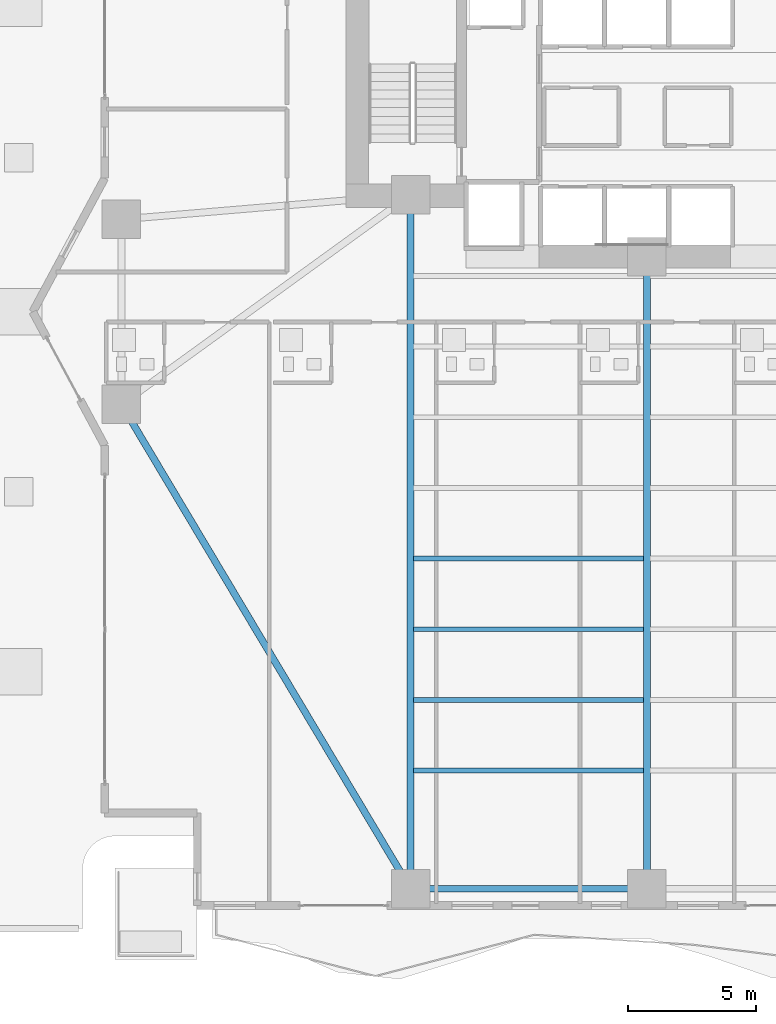
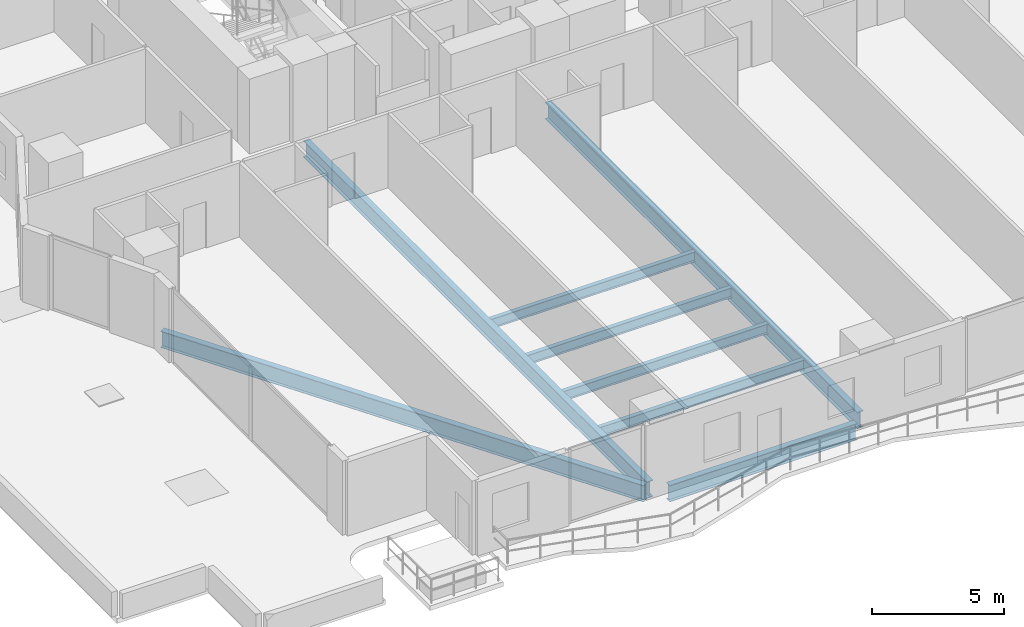
# One storey, part 3 of 30: 8 beams.
"""IFC4 building model written with IfcOpenShell, lengths in metres."""

import ifcopenshell
import ifcopenshell.guid

model = None  # the IFC model being written
_history = None  # IfcOwnerHistory: only IFC2X3 demands one
_inside = {}  # id of a spatial element -> (the spatial element, [elements in it])
_under = {}  # id of a project, library or spatial element -> (it, [spatial elements below it])
_declared = {}  # id of a project -> (the project, [libraries it declares])
_typed = {}  # id of a type object -> (the type object, [elements of that type])
_made_of = {}  # id of a material, layer set ... -> (it, [elements and type objects made of it])


def new_model(schema):
    """Start an empty IFC model of exactly this schema.

    Asked for "IFC4X3", IfcOpenShell would pick the latest addendum, in which some entities
    have other attributes; the version numbers below select the first issue.
    IFC2X3 requires an IfcOwnerHistory on every rooted entity: one is made here for all.
    """
    global model, _history
    if schema == "IFC4X3":
        model = ifcopenshell.file(schema_version=(4, 3, 0, 0))
    else:
        model = ifcopenshell.file(schema=schema)
    _inside.clear()
    _under.clear()
    _declared.clear()
    _typed.clear()
    _made_of.clear()
    _history = None
    if model.schema == "IFC2X3":
        org = make("IfcOrganization", Name="unknown")
        user = make(
            "IfcPersonAndOrganization",
            ThePerson=make("IfcPerson", FamilyName="unknown"),
            TheOrganization=org,
        )
        app = make(
            "IfcApplication",
            ApplicationDeveloper=org,
            Version="unknown",
            ApplicationFullName="unknown",
            ApplicationIdentifier="unknown",
        )
        _history = make(
            "IfcOwnerHistory",
            OwningUser=user,
            OwningApplication=app,
            ChangeAction="ADDED",
            CreationDate=0,
        )
    return model


def make(cls, **values):
    """One entity of the class cls with the attributes given. An attribute that is None is left unset."""
    return model.create_entity(
        cls, **{name: value for name, value in values.items() if value is not None}
    )


def rooted(cls, **values):
    """An entity with a GlobalId (a new one), such as an element, a storey or a relation."""
    return make(cls, GlobalId=ifcopenshell.guid.new(), OwnerHistory=_history, **values)


def si_unit(unit_type, name, prefix=None):
    """IfcSIUnit, for example si_unit("LENGTHUNIT", "METRE", prefix="MILLI")."""
    return make("IfcSIUnit", UnitType=unit_type, Prefix=prefix, Name=name)


def assignment(units):
    """IfcUnitAssignment: the units of a project."""
    return None if units is None else make("IfcUnitAssignment", Units=units)


def point(xyz):
    """IfcCartesianPoint."""
    return None if xyz is None else make("IfcCartesianPoint", Coordinates=xyz)


def direction(xyz):
    """IfcDirection."""
    return None if xyz is None else make("IfcDirection", DirectionRatios=xyz)


def frame(location, z_axis=None, x_axis=None):
    """IfcAxis2Placement3D, a coordinate frame: its origin and axes. An axis left out is left unset."""
    return make(
        "IfcAxis2Placement3D",
        Location=point(location),
        Axis=direction(z_axis),
        RefDirection=direction(x_axis),
    )


def frame_2d(location, x_axis=None):
    """IfcAxis2Placement2D, a coordinate frame in the plane: its origin and x axis."""
    return make(
        "IfcAxis2Placement2D", Location=point(location), RefDirection=direction(x_axis)
    )


def origin():
    """The frame at (0, 0, 0) with its axes left unset."""
    return frame((0.0, 0.0, 0.0))


def origin_2d():
    """The frame at (0, 0) in the plane with its x axis left unset."""
    return frame_2d((0.0, 0.0))


def place(relative_to, where):
    """IfcLocalPlacement: puts the frame where relative to a parent placement (None: the world)."""
    return make(
        "IfcLocalPlacement", PlacementRelTo=relative_to, RelativePlacement=where
    )


def context(
    kind, dimensions, precision=None, world=None, true_north=None, identifier=None
):
    """IfcGeometricRepresentationContext, for example the 3D "Model" context."""
    return make(
        "IfcGeometricRepresentationContext",
        ContextIdentifier=identifier,
        ContextType=kind,
        CoordinateSpaceDimension=dimensions,
        Precision=precision,
        WorldCoordinateSystem=world,
        TrueNorth=true_north,
    )


def subcontext(parent, identifier, kind, view, scale=None):
    """IfcGeometricRepresentationSubContext, for example "Body" below "Model"."""
    return make(
        "IfcGeometricRepresentationSubContext",
        ContextIdentifier=identifier,
        ContextType=kind,
        ParentContext=parent,
        TargetScale=scale,
        TargetView=view,
    )


def project(units=None, contexts=None):
    """IfcProject with its units and contexts."""
    return rooted(
        "IfcProject",
        Name="project",
        RepresentationContexts=contexts,
        UnitsInContext=assignment(units),
    )


def spatial(cls, under=None, at=None, **own):
    """A site, building, storey or space (cls), placed at a placement, below another one or the project."""
    s = rooted(cls, ObjectPlacement=at, **own)
    if under is not None:
        _under.setdefault(under.id(), (under, []))[1].append(s)
    return s


def profile(cls, at=None, kind="AREA", **sizes):
    """A parametric profile (cls). Its sizes go by their IFC names, for example OverallWidth=200.0."""
    return make(cls, ProfileType=kind, Position=at, **sizes)


def i_section(**sizes):
    """IfcIShapeProfileDef."""
    return profile("IfcIShapeProfileDef", **sizes)


def extrude(swept, where, along, depth):
    """IfcExtrudedAreaSolid: the profile swept, set in the frame where, extruded along a direction by depth."""
    return make(
        "IfcExtrudedAreaSolid",
        SweptArea=swept,
        Position=where,
        ExtrudedDirection=direction(along),
        Depth=depth,
    )


def shape(context_of_items, identifier, shape_type, items):
    """IfcShapeRepresentation: the items that make up one representation, for example the "Body"."""
    return make(
        "IfcShapeRepresentation",
        ContextOfItems=context_of_items,
        RepresentationIdentifier=identifier,
        RepresentationType=shape_type,
        Items=items,
    )


def material(Name=None, Category=None):
    """IfcMaterial."""
    return make("IfcMaterial", Name=Name, Category=Category)


def material_profile(
    of_material, cross_section, Name=None, Category=None, Priority=None
):
    """IfcMaterialProfile: a cross section and its material."""
    return make(
        "IfcMaterialProfile",
        Name=Name,
        Material=of_material,
        Profile=cross_section,
        Priority=Priority,
        Category=Category,
    )


def profile_set(profiles, Name=None, composite=None):
    """IfcMaterialProfileSet."""
    return make(
        "IfcMaterialProfileSet",
        Name=Name,
        MaterialProfiles=profiles,
        CompositeProfile=composite,
    )


def made_of(thing, what):
    """Note that an element or type object is made of a material, layer set ...; save() writes the relation."""
    if what is not None:
        _made_of.setdefault(what.id(), (what, []))[1].append(thing)
    return thing


def type_object(cls, material=None, **own):
    """A type object (cls), such as IfcWallType, which elements share."""
    return made_of(rooted(cls, **own), material)


def element(
    cls,
    number,
    at=None,
    inside=None,
    cuts=None,
    type_object=None,
    material=None,
    context=None,
    identifier="Body",
    shape_type=None,
    held_by="IfcProductDefinitionShape",
    body=None,
    shapes=None,
    **own,
):
    """One element of the class cls, such as IfcWall. Its Tag is "e" and its number.

    at: its placement. inside: the storey or other place that contains it. cuts: it is an
    opening in that element (IfcRelVoidsElement). A single representation is given by context,
    identifier, shape_type and body (its items); several are given by shapes. held_by: the class
    of the entity that holds the representations. save() writes the other relations.
    """
    e = rooted(cls, Tag="e%d" % number, ObjectPlacement=at, **own)
    if body is not None:
        shapes = [shape(context, identifier, shape_type, body)]
    if shapes is not None:
        e.Representation = make(held_by, Representations=shapes)
    if inside is not None:
        _inside.setdefault(inside.id(), (inside, []))[1].append(e)
    if cuts is not None:
        rooted(
            "IfcRelVoidsElement", RelatingBuildingElement=cuts, RelatedOpeningElement=e
        )
    if type_object is not None:
        _typed.setdefault(type_object.id(), (type_object, []))[1].append(e)
    return made_of(e, material)


def aggregate(whole, parts):
    """IfcRelAggregates: a whole, such as a stair, and the parts it consists of."""
    return rooted("IfcRelAggregates", RelatingObject=whole, RelatedObjects=parts)


def save(model, path):
    """Write the relations noted so far, then the file.

    IfcRelAggregates (storeys below a building ...), IfcRelContainedInSpatialStructure (elements
    in a storey), IfcRelDefinesByType, IfcRelAssociatesMaterial and IfcRelDeclares: one each for
    every whole, place, type object, material and project.
    """
    for whole, parts in _under.values():
        aggregate(whole, parts)
    for where, things in _inside.values():
        rooted(
            "IfcRelContainedInSpatialStructure",
            RelatedElements=things,
            RelatingStructure=where,
        )
    for kind, things in _typed.values():
        rooted("IfcRelDefinesByType", RelatedObjects=things, RelatingType=kind)
    for what, things in _made_of.values():
        rooted("IfcRelAssociatesMaterial", RelatedObjects=things, RelatingMaterial=what)
    for by, libraries in _declared.values():
        rooted("IfcRelDeclares", RelatingContext=by, RelatedDefinitions=libraries)
    model.write(path)


model = new_model("IFC4")

# Units and contexts
model_context = context("Model", 3, precision=1e-05, world=origin(), true_north=direction((0.0, 1.0)))
body_context = subcontext(model_context, "Body", "Model", "MODEL_VIEW")
ifc_project = project(units=[si_unit("LENGTHUNIT", "METRE"), si_unit("AREAUNIT", "SQUARE_METRE"), si_unit("VOLUMEUNIT", "CUBIC_METRE"), si_unit("PLANEANGLEUNIT", "RADIAN"), si_unit("MASSUNIT", "GRAM", prefix="KILO")], contexts=[model_context])

# Site, building, storey
site_placement = place(None, origin())
site = spatial("IfcSite", under=ifc_project, at=site_placement, CompositionType="ELEMENT")
building_placement = place(site_placement, origin())
building = spatial("IfcBuilding", under=site, at=building_placement, Name="Zuhayl Quay Hotel", CompositionType="ELEMENT")
storey_placement = place(building_placement, frame((0.0, 0.0, 27.60009765625)))
storey = spatial("IfcBuildingStorey", under=building, at=storey_placement, Name="L05", CompositionType="ELEMENT", Elevation=27.60009765625)

# Beams
ifc_material = material(Name="Steel ASTM A992 Grade 50", Category="steel")
ifc_material_profile_1 = material_profile(ifc_material, i_section(OverallWidth=0.26708984375, OverallDepth=0.761962890625, WebThickness=0.014404296875, FlangeThickness=0.021484375, at=origin_2d()), Name="W30X116")
ifc_profile_set_1 = profile_set([ifc_material_profile_1], Name="Steel ASTM A992 Grade 50")
beam_type_1 = type_object("IfcBeamType", Name="BM_B1_W30X116", PredefinedType="BEAM", material=ifc_profile_set_1)
beam_1_placement = place(storey_placement, frame((-13.300048828125, -22.449951171875, -0.60107421875), z_axis=(1.0, 0.0, 0.0), x_axis=(0.0, 1.0, 0.0)))
element("IfcBeam", 1, at=beam_1_placement, inside=storey, type_object=beam_type_1, Name="L05 Floor Beam RG_L05_01", PredefinedType="BEAM", context=body_context, shape_type="SweptSolid", body=[
    extrude(i_section(OverallWidth=0.26708984375, OverallDepth=0.761962890625, WebThickness=0.014404296875, FlangeThickness=0.021484375, at=origin_2d()), origin(), (0.0, 0.0, 1.0), 8.199951171875),
])
beam_2_placement = place(storey_placement, frame((-24.793701171875, -4.029296875, -0.60107421875), z_axis=(0.512482593247, -0.85869761361, 0.0), x_axis=(0.85869761361, 0.512482593247, 0.0)))
element("IfcBeam", 2, at=beam_2_placement, inside=storey, type_object=beam_type_1, Name="L05 Floor Beam RG_L05_12", PredefinedType="BEAM", context=body_context, shape_type="SweptSolid", body=[
    extrude(i_section(OverallWidth=0.26708984375, OverallDepth=0.761962890625, WebThickness=0.014404296875, FlangeThickness=0.021484375, at=origin_2d()), origin(), (0.0, 0.0, 1.0), 20.9521484375),
])
beam_3_placement = place(storey_placement, frame((-13.800048828125, -21.949951171875, -0.60107421875), z_axis=(0.0, 1.0, 0.0), x_axis=(-1.0, 0.0, 0.0)))
element("IfcBeam", 3, at=beam_3_placement, inside=storey, type_object=beam_type_1, Name="L05 Floor Beam FG_S_L05_1", PredefinedType="BEAM", context=body_context, shape_type="SweptSolid", body=[
    extrude(i_section(OverallWidth=0.26708984375, OverallDepth=0.761962890625, WebThickness=0.014404296875, FlangeThickness=0.021484375, at=origin_2d()), origin(), (0.0, 0.0, 1.0), 26.050048828125),
])
beam_4_placement = place(storey_placement, frame((-4.60009765625, -21.949951171875, -0.60107421875), z_axis=(0.0, 1.0, 0.0), x_axis=(-1.0, 0.0, 0.0)))
element("IfcBeam", 4, at=beam_4_placement, inside=storey, type_object=beam_type_1, Name="L05 Floor Beam FG_S_L05_2", PredefinedType="BEAM", context=body_context, shape_type="SweptSolid", body=[
    extrude(i_section(OverallWidth=0.26708984375, OverallDepth=0.761962890625, WebThickness=0.014404296875, FlangeThickness=0.021484375, at=origin_2d()), origin(), (0.0, 0.0, 1.0), 23.64990234375),
])
ifc_material_profile_2 = material_profile(ifc_material, i_section(OverallWidth=0.18994140625, OverallDepth=0.45703125, WebThickness=0.009033203125, FlangeThickness=0.014404296875, at=origin_2d()), Name="W18X50")
ifc_profile_set_2 = profile_set([ifc_material_profile_2], Name="Steel ASTM A992 Grade 50")
beam_type_2 = type_object("IfcBeamType", Name="BM_J2_W18X50", PredefinedType="JOIST", material=ifc_profile_set_2)
for number, where, z_axis, x_axis, name in (
    (5, (-13.674560546875, -17.85009765625, -0.448486328125), (1.0, 0.0, 0.0), (0.0, 1.0, 0.0), "L05 Floor Beam FJ_L05_3_1"),
    (6, (-13.674560546875, -15.10009765625, -0.448486328125), (1.0, 0.0, 0.0), (0.0, 1.0, 0.0), "L05 Floor Beam FJ_L05_4_1"),
    (7, (-13.674560546875, -12.35009765625, -0.448486328125), (1.0, 0.0, 0.0), (0.0, 1.0, 0.0), "L05 Floor Beam FJ_L05_5_1"),
    (8, (-13.674560546875, -9.60009765625, -0.448486328125), (1.0, 0.0, 0.0), (0.0, 1.0, 0.0), "L05 Floor Beam FJ_L05_6_1"),
):
    element("IfcBeam", number, at=place(storey_placement, frame(where, z_axis=z_axis, x_axis=x_axis)), inside=storey, type_object=beam_type_2, Name=name, PredefinedType="JOIST", context=body_context, shape_type="SweptSolid", body=[
        extrude(i_section(OverallWidth=0.18994140625, OverallDepth=0.45703125, WebThickness=0.009033203125, FlangeThickness=0.014404296875, at=origin_2d()), origin(), (0.0, 0.0, 1.0), 8.948974609375),
    ])

save(model, "model.ifc")
